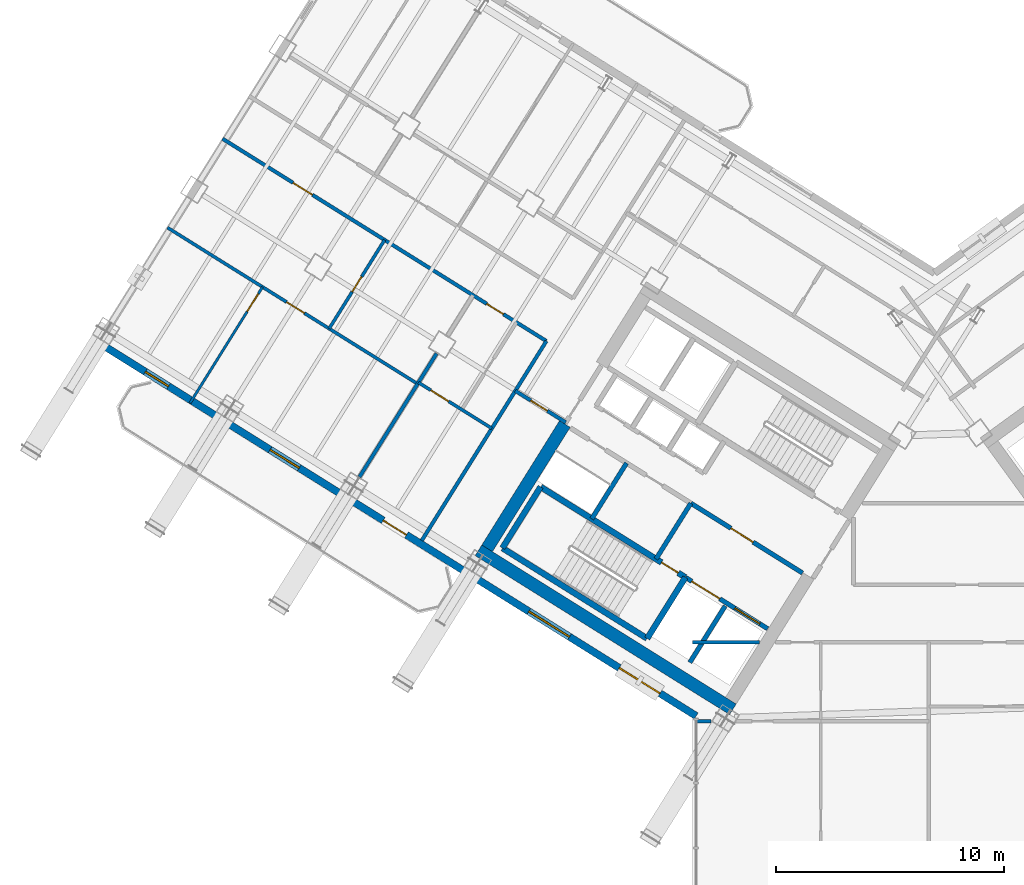
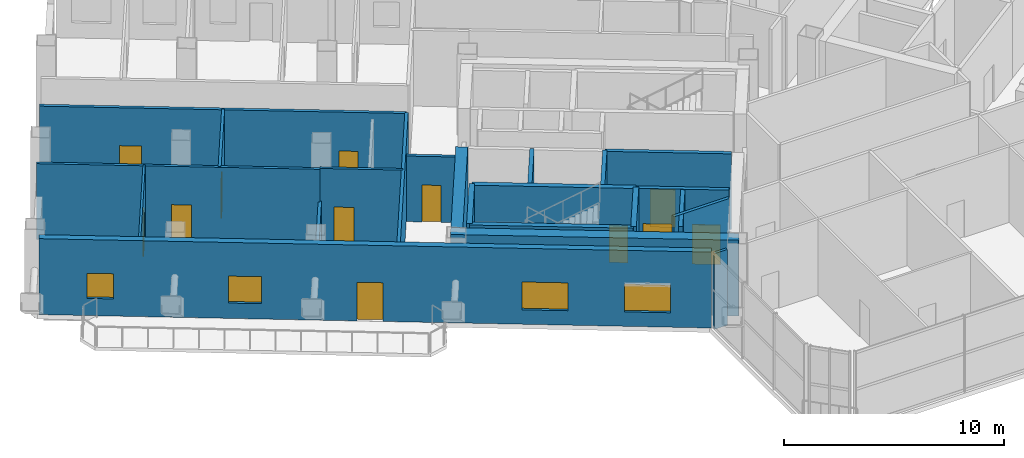
# One storey, part 21 of 32: 22 walls, 12 doors, 4 windows, 16 openings.
"""IFC4 building model written with IfcOpenShell, lengths in metres."""

from ifc_helpers import new_model, si_unit, direction, frame, frame_2d, origin, place, context, subcontext, project, spatial, rectangle, extrude, source, transform, mapped, material, layer, layer_set, type_object, element, fill, save


model = new_model("IFC4")

# Units and contexts
model_context = context("Model", 3, precision=1e-05, world=origin(), true_north=direction((0.0, 1.0)))
body_context = subcontext(model_context, "Body", "Model", "MODEL_VIEW")
ifc_project = project(units=[si_unit("LENGTHUNIT", "METRE"), si_unit("AREAUNIT", "SQUARE_METRE"), si_unit("VOLUMEUNIT", "CUBIC_METRE"), si_unit("PLANEANGLEUNIT", "RADIAN"), si_unit("MASSUNIT", "GRAM", prefix="KILO")], contexts=[model_context])

# Site, building, storey
site_placement = place(None, origin())
site = spatial("IfcSite", under=ifc_project, at=site_placement, CompositionType="ELEMENT")
building_placement = place(site_placement, origin())
building = spatial("IfcBuilding", under=site, at=building_placement, Name="Tlacorven Tower", CompositionType="ELEMENT")
storey_placement = place(building_placement, frame((0.0, 0.0, 123.300048828125)))
storey = spatial("IfcBuildingStorey", under=building, at=storey_placement, Name="L31", CompositionType="ELEMENT", Elevation=123.300048828125)

# Walls
ifc_material_1 = material(Name="Concrete C60/75", Category="concrete")
ifc_layer_1 = layer(ifc_material_1, 0.550048828125)
ifc_layer_set_1 = layer_set([ifc_layer_1], Name="Concrete C60/75")
wall_type_1 = type_object("IfcWallType", Name="WL-COR-550", PredefinedType="SHEAR", material=ifc_layer_set_1)
wall_1_placement = place(storey_placement, frame((33.3662109375, 12.4765625, 0.0), z_axis=(0.0, 0.0, 1.0), x_axis=(-0.848047359947, 0.529920442413, 0.0)))
element("IfcWall", 1, at=wall_1_placement, inside=storey, type_object=wall_type_1, Name="L31 W core shear wall S2", PredefinedType="SHEAR", context=body_context, shape_type="SweptSolid", body=[
    extrude(rectangle(XDim=13.139892578125, YDim=0.550048828125, at=frame_2d((6.56982421875, 0.0))), origin(), (0.0, 0.0, 1.0), 4.219970703125),
])
wall_2_placement = place(storey_placement, frame((26.006591796875, 24.975830078125, 0.0), z_axis=(0.0, 0.0, 1.0), x_axis=(-0.529923795287, -0.848045264823, 0.0)))
element("IfcWall", 2, at=wall_2_placement, inside=storey, type_object=wall_type_1, Name="L31 W core end wall E2.2", PredefinedType="SHEAR", context=body_context, shape_type="SweptSolid", body=[
    extrude(rectangle(XDim=6.425048828125, YDim=0.550048828125, at=frame_2d((3.21240234375, 0.0))), origin(), (0.0, 0.0, 1.0), 4.219970703125),
])

# Wall, opening, door
ifc_material_2 = material(Name="Gypsum plasterboard acoustic partition", Category="gypsum")
ifc_layer_2 = layer(ifc_material_2, 0.159912109375)
ifc_layer_set_2 = layer_set([ifc_layer_2], Name="Gypsum plasterboard acoustic partition")
wall_type_2 = type_object("IfcWallType", Name="WL-DEM-160", PredefinedType="PARTITIONING", material=ifc_layer_set_2)
wall_3_placement = place(storey_placement, frame((26.048828125, 25.043701171875, 0.0), z_axis=(0.0, 0.0, 1.0), x_axis=(-0.848050851465, 0.529914854792, 0.0)))
wall_3 = element("IfcWall", 3, at=wall_3_placement, inside=storey, type_object=wall_type_2, Name="L31 partition 44", PredefinedType="PARTITIONING", context=body_context, shape_type="SweptSolid", body=[
    extrude(rectangle(XDim=2.60986328125, YDim=0.159912109375, at=frame_2d((1.304931640625, 0.0))), origin(), (0.0, 0.0, 1.0), 3.64501953125),
])
opening_1_placement = place(wall_3_placement, frame((0.949951171875, 0.0, 0.0)))
opening_1 = element("IfcOpeningElement", 4, at=opening_1_placement, cuts=wall_3, Name="Opening D19", PredefinedType="OPENING", context=body_context, shape_type="SweptSolid", body=[
    extrude(rectangle(XDim=0.860107421875, YDim=2.050048828125, at=frame_2d((0.43017578125, 1.02490234375))), frame((0.0, 0.08984375, 0.0), z_axis=(0.0, -1.0, 0.0), x_axis=(1.0, 0.0, 0.0)), (0.0, 0.0, 1.0), 0.179931640625),
])
ifc_material_3 = material(Name="Fire-rated steel door assembly", Category="steel")
door_type_1 = type_object("IfcDoorType", Name="DR-RSR-FD60-0860", OperationType="NOTDEFINED", PredefinedType="DOOR", material=ifc_material_3)
shared_shape_1 = source(origin(), body_context, "Body", "SweptSolid", [
    extrude(rectangle(XDim=0.860107421875, YDim=2.050048828125, at=frame_2d((0.43017578125, 1.02490234375))), frame((0.0, 0.02490234375, 0.0), z_axis=(0.0, -1.0, 0.0), x_axis=(1.0, 0.0, 0.0)), (0.0, 0.0, 1.0), 0.050048828125),
])
door_1_placement = place(opening_1_placement, origin())
door_1 = element("IfcDoor", 5, at=door_1_placement, inside=storey, type_object=door_type_1, Name="L31 door 020", OperationType="SINGLE_SWING_LEFT", OverallHeight=2.050048828125, OverallWidth=0.860107421875, PredefinedType="DOOR", context=body_context, shape_type="MappedRepresentation", body=[
    mapped(shared_shape_1, transform((0.0, 0.0, 0.0), scale=1.0)),
])
fill(opening_1, door_1)

# Wall
wall_4_placement = place(storey_placement, frame((25.197509765625, 28.606201171875, 0.0), z_axis=(0.0, 0.0, 1.0), x_axis=(-0.529926497642, -0.848043576178, 0.0)))
element("IfcWall", 6, at=wall_4_placement, inside=storey, type_object=wall_type_2, Name="L31 partition 46", PredefinedType="PARTITIONING", context=body_context, shape_type="SweptSolid", body=[
    extrude(rectangle(XDim=10.300048828125, YDim=0.159912109375, at=frame_2d((5.14990234375, 0.0))), origin(), (0.0, 0.0, 1.0), 4.2099609375),
])

# Wall, openings, doors
wall_5_placement = place(storey_placement, frame((25.197509765625, 28.606201171875, 0.0), z_axis=(0.0, 0.0, 1.0), x_axis=(-0.848052408131, 0.529912363569, 0.0)))
wall_5 = element("IfcWall", 7, at=wall_5_placement, inside=storey, type_object=wall_type_2, Name="L31 Wing W Corridor North Wall", PredefinedType="PARTITIONING", context=body_context, shape_type="SweptSolid", body=[
    extrude(rectangle(XDim=16.72998046875, YDim=0.159912109375, at=frame_2d((8.364990234375, 0.0))), origin(), (0.0, 0.0, 1.0), 4.2099609375),
])
opening_2_placement = place(wall_5_placement, frame((2.219970703125, 0.0, 0.0)))
opening_2 = element("IfcOpeningElement", 8, at=opening_2_placement, cuts=wall_5, Name="Opening D19", PredefinedType="OPENING", context=body_context, shape_type="SweptSolid", body=[
    extrude(rectangle(XDim=0.860107421875, YDim=2.050048828125, at=frame_2d((0.43017578125, 1.02490234375))), frame((0.0, 0.08984375, 0.0), z_axis=(0.0, -1.0, 0.0), x_axis=(1.0, 0.0, 0.0)), (0.0, 0.0, 1.0), 0.179931640625),
])
opening_3_placement = place(wall_5_placement, frame((12.083984375, 0.0, 0.0)))
opening_3 = element("IfcOpeningElement", 9, at=opening_3_placement, cuts=wall_5, Name="Opening D11", PredefinedType="OPENING", context=body_context, shape_type="SweptSolid", body=[
    extrude(rectangle(XDim=1.0, YDim=2.10009765625, at=frame_2d((0.5, 1.050048828125))), frame((0.0, 0.08984375, 0.0), z_axis=(0.0, -1.0, 0.0), x_axis=(1.0, 0.0, 0.0)), (0.0, 0.0, 1.0), 0.179931640625),
])
door_2_placement = place(opening_2_placement, origin())
door_2 = element("IfcDoor", 10, at=door_2_placement, inside=storey, type_object=door_type_1, Name="L31 door 022", OperationType="SINGLE_SWING_RIGHT", OverallHeight=2.050048828125, OverallWidth=0.860107421875, PredefinedType="DOOR", context=body_context, shape_type="MappedRepresentation", body=[
    mapped(shared_shape_1, transform((0.0, 0.0, 0.0), scale=1.0)),
])
fill(opening_2, door_2)
door_type_2 = type_object("IfcDoorType", Name="DR-FLT-FD60-1000", OperationType="NOTDEFINED", PredefinedType="DOOR", material=ifc_material_3)
shared_shape_2 = source(origin(), body_context, "Body", "SweptSolid", [
    extrude(rectangle(XDim=1.0, YDim=2.10009765625, at=frame_2d((0.5, 1.050048828125))), frame((0.0, 0.02490234375, 0.0), z_axis=(0.0, -1.0, 0.0), x_axis=(1.0, 0.0, 0.0)), (0.0, 0.0, 1.0), 0.050048828125),
])
door_3_placement = place(opening_3_placement, origin())
door_3 = element("IfcDoor", 11, at=door_3_placement, inside=storey, type_object=door_type_2, Name="L31 door 026", OperationType="SINGLE_SWING_RIGHT", OverallHeight=2.10009765625, OverallWidth=1.0, PredefinedType="DOOR", context=body_context, shape_type="MappedRepresentation", body=[
    mapped(shared_shape_2, transform((0.0, 0.0, 0.0), scale=1.0)),
])
fill(opening_3, door_3)

# Walls
wall_6_placement = place(storey_placement, frame((20.38720703125, 28.060302734375, 0.0), z_axis=(0.0, 0.0, 1.0), x_axis=(-0.529902564924, -0.848058530814, 0.0)))
element("IfcWall", 12, at=wall_6_placement, inside=storey, type_object=wall_type_2, Name="L31 WN Demising Wall 1", PredefinedType="PARTITIONING", context=body_context, shape_type="SweptSolid", body=[
    extrude(rectangle(XDim=6.3759765625, YDim=0.159912109375, at=frame_2d((3.18798828125, 0.0))), origin(), (0.0, 0.0, 1.0), 2.39501953125),
])
wall_7_placement = place(storey_placement, frame((31.60009765625, 15.419921875, 0.0), z_axis=(0.0, 0.0, 1.0), x_axis=(1.0, 0.0, 0.0)))
element("IfcWall", 13, at=wall_7_placement, inside=storey, type_object=wall_type_2, Name="L31 Knuckle Corridor South Wall", PredefinedType="PARTITIONING", context=body_context, shape_type="SweptSolid", body=[
    extrude(rectangle(XDim=2.925048828125, YDim=0.159912109375, at=frame_2d((1.46240234375, 0.0))), origin(), (0.0, 0.0, 1.0), 4.2099609375),
])

# Wall, openings, door, windows
ifc_material_4 = material(Name="Precast concrete C45/55", Category="concrete")
ifc_layer_3 = layer(ifc_material_4, 0.320068359375)
ifc_layer_set_3 = layer_set([ifc_layer_3], Name="Precast concrete C45/55")
wall_type_3 = type_object("IfcWallType", Name="WL-EXT-320", PredefinedType="STANDARD", material=ifc_layer_set_3)
wall_8_placement = place(storey_placement, frame((31.760009765625, 12.18310546875, 0.0), z_axis=(0.0, 0.0, 1.0), x_axis=(-0.848047074256, 0.529920899612, 0.0)))
wall_8 = element("IfcWall", 14, at=wall_8_placement, inside=storey, type_object=wall_type_3, Name="L31 Masonry-Frame Recessed Facade Wall 1", PredefinedType="STANDARD", context=body_context, shape_type="SweptSolid", body=[
    extrude(rectangle(XDim=30.652099609375, YDim=0.320068359375, at=frame_2d((15.326171875, 0.0))), origin(), (0.0, 0.0, 1.0), 4.219970703125),
])
opening_4_placement = place(wall_8_placement, frame((14.9658203125, 0.0, 0.0)))
opening_4 = element("IfcOpeningElement", 15, at=opening_4_placement, cuts=wall_8, Name="Opening D05", PredefinedType="OPENING", context=body_context, shape_type="SweptSolid", body=[
    extrude(rectangle(XDim=1.199951171875, YDim=2.14990234375, at=frame_2d((0.60009765625, 1.074951171875))), frame((0.0, 0.169921875, 0.0), z_axis=(0.0, -1.0, 0.0), x_axis=(1.0, 0.0, 0.0)), (0.0, 0.0, 1.0), 0.340087890625),
])
opening_5_placement = place(wall_8_placement, frame((1.870849609375, 0.0, 0.800048828125)))
opening_5 = element("IfcOpeningElement", 16, at=opening_5_placement, cuts=wall_8, Name="Opening WN04", PredefinedType="OPENING", context=body_context, shape_type="SweptSolid", body=[
    extrude(rectangle(XDim=2.10009765625, YDim=1.550048828125, at=frame_2d((1.050048828125, 0.77490234375))), frame((0.0, 0.169921875, 0.0), z_axis=(0.0, -1.0, 0.0), x_axis=(1.0, 0.0, 0.0)), (0.0, 0.0, 1.0), 0.340087890625),
])
opening_6_placement = place(wall_8_placement, frame((6.5458984375, 0.0, 0.800048828125)))
opening_6 = element("IfcOpeningElement", 17, at=opening_6_placement, cuts=wall_8, Name="Opening WN04", PredefinedType="OPENING", context=body_context, shape_type="SweptSolid", body=[
    extrude(rectangle(XDim=2.10009765625, YDim=1.550048828125, at=frame_2d((1.050048828125, 0.77490234375))), frame((0.0, 0.169921875, 0.0), z_axis=(0.0, -1.0, 0.0), x_axis=(1.0, 0.0, 0.0)), (0.0, 0.0, 1.0), 0.340087890625),
])
opening_7_placement = place(wall_8_placement, frame((20.50830078125, 0.0, 0.85009765625)))
opening_7 = element("IfcOpeningElement", 18, at=opening_7_placement, cuts=wall_8, Name="Opening WN02", PredefinedType="OPENING", context=body_context, shape_type="SweptSolid", body=[
    extrude(rectangle(XDim=1.5, YDim=1.5, at=frame_2d((0.75, 0.75))), frame((0.0, 0.169921875, 0.0), z_axis=(0.0, -1.0, 0.0), x_axis=(1.0, 0.0, 0.0)), (0.0, 0.0, 1.0), 0.340087890625),
])
opening_8_placement = place(wall_8_placement, frame((27.25341796875, 0.0, 0.949951171875)))
opening_8 = element("IfcOpeningElement", 19, at=opening_8_placement, cuts=wall_8, Name="Opening WN03", PredefinedType="OPENING", context=body_context, shape_type="SweptSolid", body=[
    extrude(rectangle(XDim=1.199951171875, YDim=1.39990234375, at=frame_2d((0.60009765625, 0.699951171875))), frame((0.0, 0.169921875, 0.0), z_axis=(0.0, -1.0, 0.0), x_axis=(1.0, 0.0, 0.0)), (0.0, 0.0, 1.0), 0.340087890625),
])
ifc_material_5 = material(Name="Powder-coated aluminium and timber door", Category="wood")
door_type_3 = type_object("IfcDoorType", Name="DR-EXT-BALC-1200", OperationType="NOTDEFINED", PredefinedType="DOOR", material=ifc_material_5)
shared_shape_3 = source(origin(), body_context, "Body", "SweptSolid", [
    extrude(rectangle(XDim=1.199951171875, YDim=2.14990234375, at=frame_2d((0.60009765625, 1.074951171875))), frame((0.0, 0.02490234375, 0.0), z_axis=(0.0, -1.0, 0.0), x_axis=(1.0, 0.0, 0.0)), (0.0, 0.0, 1.0), 0.050048828125),
])
door_4_placement = place(opening_4_placement, origin())
door_4 = element("IfcDoor", 20, at=door_4_placement, inside=storey, type_object=door_type_3, Name="L31 Outdoor Access Door BAL-L31-W-OUT", OperationType="SINGLE_SWING_LEFT", OverallHeight=2.14990234375, OverallWidth=1.199951171875, PredefinedType="DOOR", context=body_context, shape_type="MappedRepresentation", body=[
    mapped(shared_shape_3, transform((0.0, 0.0, 0.0), scale=1.0)),
])
fill(opening_4, door_4)
ifc_material_6 = material(Name="Dark solar low-E double glazing in anodised aluminium frame", Category="aluminium")
window_type_1 = type_object("IfcWindowType", Name="WN-APT-2100X1750", PartitioningType="SINGLE_PANEL", PredefinedType="WINDOW", material=ifc_material_6)
shared_shape_4 = source(origin(), body_context, "Body", "SweptSolid", [
    extrude(rectangle(XDim=2.10009765625, YDim=1.550048828125, at=frame_2d((1.050048828125, 0.77490234375))), frame((0.0, 0.030029296875, 0.0), z_axis=(0.0, -1.0, 0.0), x_axis=(1.0, 0.0, 0.0)), (0.0, 0.0, 1.0), 0.06005859375),
])
window_1_placement = place(opening_5_placement, origin())
window_1 = element("IfcWindow", 21, at=window_1_placement, inside=storey, type_object=window_type_1, Name="L31 Recessed Masonry-Frame Window L31-01.1", OverallHeight=1.550048828125, OverallWidth=2.10009765625, PartitioningType="SINGLE_PANEL", PredefinedType="WINDOW", context=body_context, shape_type="MappedRepresentation", body=[
    mapped(shared_shape_4, transform((0.0, 0.0, 0.0), scale=1.0)),
])
fill(opening_5, window_1)
window_2_placement = place(opening_6_placement, origin())
window_2 = element("IfcWindow", 22, at=window_2_placement, inside=storey, type_object=window_type_1, Name="L31 Recessed Masonry-Frame Window L31-01.2", OverallHeight=1.550048828125, OverallWidth=2.10009765625, PartitioningType="SINGLE_PANEL", PredefinedType="WINDOW", context=body_context, shape_type="MappedRepresentation", body=[
    mapped(shared_shape_4, transform((0.0, 0.0, 0.0), scale=1.0)),
])
fill(opening_6, window_2)
window_type_2 = type_object("IfcWindowType", Name="WN-APT-1200X1500", PartitioningType="SINGLE_PANEL", PredefinedType="WINDOW", material=ifc_material_6)
shared_shape_5 = source(origin(), body_context, "Body", "SweptSolid", [
    extrude(rectangle(XDim=1.199951171875, YDim=1.39990234375, at=frame_2d((0.60009765625, 0.699951171875))), frame((0.0, 0.030029296875, 0.0), z_axis=(0.0, -1.0, 0.0), x_axis=(1.0, 0.0, 0.0)), (0.0, 0.0, 1.0), 0.06005859375),
])
window_3_placement = place(opening_8_placement, origin())
window_3 = element("IfcWindow", 23, at=window_3_placement, inside=storey, type_object=window_type_2, Name="L31 Recessed Masonry-Frame Window L31-01.4", OverallHeight=1.39990234375, OverallWidth=1.199951171875, PartitioningType="SINGLE_PANEL", PredefinedType="WINDOW", context=body_context, shape_type="MappedRepresentation", body=[
    mapped(shared_shape_5, transform((0.0, 0.0, 0.0), scale=1.0)),
])
fill(opening_8, window_3)
window_type_3 = type_object("IfcWindowType", Name="WN-APT-1500X1650", PartitioningType="SINGLE_PANEL", PredefinedType="WINDOW", material=ifc_material_6)
shared_shape_6 = source(origin(), body_context, "Body", "SweptSolid", [
    extrude(rectangle(XDim=1.5, YDim=1.5, at=frame_2d((0.75, 0.75))), frame((0.0, 0.030029296875, 0.0), z_axis=(0.0, -1.0, 0.0), x_axis=(1.0, 0.0, 0.0)), (0.0, 0.0, 1.0), 0.06005859375),
])
window_4_placement = place(opening_7_placement, origin())
window_4 = element("IfcWindow", 24, at=window_4_placement, inside=storey, type_object=window_type_3, Name="L31 Recessed Masonry-Frame Window L31-01.3", OverallHeight=1.5, OverallWidth=1.5, PartitioningType="SINGLE_PANEL", PredefinedType="WINDOW", context=body_context, shape_type="MappedRepresentation", body=[
    mapped(shared_shape_6, transform((0.0, 0.0, 0.0), scale=1.0)),
])
fill(opening_7, window_4)

# Wall, opening, door
ifc_material_7 = material(Name="Gypsum plasterboard partition", Category="gypsum")
ifc_layer_4 = layer(ifc_material_7, 0.110107421875)
ifc_layer_set_4 = layer_set([ifc_layer_4], Name="Gypsum plasterboard partition")
wall_type_4 = type_object("IfcWallType", Name="WL-INT-110", PredefinedType="PARTITIONING", material=ifc_layer_set_4)
wall_9_placement = place(storey_placement, frame((12.763427734375, 30.97509765625, 0.0), z_axis=(0.0, 0.0, 1.0), x_axis=(-0.529947646893, -0.848030360042, 0.0)))
wall_9 = element("IfcWall", 25, at=wall_9_placement, inside=storey, type_object=wall_type_4, Name="L31 partition 55", PredefinedType="PARTITIONING", context=body_context, shape_type="SweptSolid", body=[
    extrude(rectangle(XDim=5.98974609375, YDim=0.110107421875, at=frame_2d((2.994873046875, 0.0))), origin(), (0.0, 0.0, 1.0), 4.2099609375),
])
opening_9_placement = place(wall_9_placement, frame((0.35009765625, 0.0, 0.0)))
opening_9 = element("IfcOpeningElement", 26, at=opening_9_placement, cuts=wall_9, Name="Opening D12", PredefinedType="OPENING", context=body_context, shape_type="SweptSolid", body=[
    extrude(rectangle(XDim=0.919921875, YDim=2.080078125, at=frame_2d((0.4599609375, 1.0400390625))), frame((0.0, 0.06494140625, 0.0), z_axis=(0.0, -1.0, 0.0), x_axis=(1.0, 0.0, 0.0)), (0.0, 0.0, 1.0), 0.130126953125),
])
door_type_4 = type_object("IfcDoorType", Name="DR-INT-ROOM-0920", OperationType="NOTDEFINED", PredefinedType="DOOR", material=ifc_material_5)
shared_shape_7 = source(origin(), body_context, "Body", "SweptSolid", [
    extrude(rectangle(XDim=0.919921875, YDim=2.080078125, at=frame_2d((0.4599609375, 1.0400390625))), frame((0.0, 0.02490234375, 0.0), z_axis=(0.0, -1.0, 0.0), x_axis=(1.0, 0.0, 0.0)), (0.0, 0.0, 1.0), 0.050048828125),
])
door_5_placement = place(opening_9_placement, origin())
door_5 = element("IfcDoor", 27, at=door_5_placement, inside=storey, type_object=door_type_4, Name="L31 door 025", OperationType="SINGLE_SWING_LEFT", OverallHeight=2.080078125, OverallWidth=0.919921875, PredefinedType="DOOR", context=body_context, shape_type="MappedRepresentation", body=[
    mapped(shared_shape_7, transform((0.0, 0.0, 0.0), scale=1.0)),
])
fill(opening_9, door_5)

ifc_material_8 = material(Name="Moisture-resistant gypsum plumbing wall", Category="gypsum")
ifc_layer_5 = layer(ifc_material_8, 0.139892578125)
ifc_layer_set_5 = layer_set([ifc_layer_5], Name="Moisture-resistant gypsum plumbing wall")
wall_type_5 = type_object("IfcWallType", Name="WL-PLM-140", PredefinedType="PLUMBINGWALL", material=ifc_layer_set_5)
wall_10_placement = place(storey_placement, frame((22.807373046875, 24.781494140625, 0.0), z_axis=(0.0, 0.0, 1.0), x_axis=(-0.84803087207, 0.529946827537, 0.0)))
wall_10 = element("IfcWall", 28, at=wall_10_placement, inside=storey, type_object=wall_type_5, Name="L31 partition 51", PredefinedType="PLUMBINGWALL", context=body_context, shape_type="SweptSolid", body=[
    extrude(rectangle(XDim=3.7900390625, YDim=0.139892578125, at=frame_2d((1.89501953125, 0.0))), origin(), (0.0, 0.0, 1.0), 4.2099609375),
])
opening_10_placement = place(wall_10_placement, frame((2.22998046875, 0.0, 0.0)))
opening_10 = element("IfcOpeningElement", 29, at=opening_10_placement, cuts=wall_10, Name="Opening D12", PredefinedType="OPENING", context=body_context, shape_type="SweptSolid", body=[
    extrude(rectangle(XDim=0.919921875, YDim=2.080078125, at=frame_2d((0.4599609375, 1.0400390625))), frame((0.0, 0.080078125, 0.0), z_axis=(0.0, -1.0, 0.0), x_axis=(1.0, 0.0, 0.0)), (0.0, 0.0, 1.0), 0.159912109375),
])
door_6_placement = place(opening_10_placement, origin())
door_6 = element("IfcDoor", 30, at=door_6_placement, inside=storey, type_object=door_type_4, Name="L31 door 023", OperationType="SINGLE_SWING_LEFT", OverallHeight=2.080078125, OverallWidth=0.919921875, PredefinedType="DOOR", context=body_context, shape_type="MappedRepresentation", body=[
    mapped(shared_shape_7, transform((0.0, 0.0, 0.0), scale=1.0)),
])
fill(opening_10, door_6)

wall_11_placement = place(storey_placement, frame((19.556396484375, 26.73046875, 0.0), z_axis=(0.0, 0.0, 1.0), x_axis=(-0.848043949058, 0.52992590092, 0.0)))
wall_11 = element("IfcWall", 31, at=wall_11_placement, inside=storey, type_object=wall_type_5, Name="L31 partition 53", PredefinedType="PLUMBINGWALL", context=body_context, shape_type="SweptSolid", body=[
    extrude(rectangle(XDim=12.920166015625, YDim=0.139892578125, at=frame_2d((6.4599609375, 0.0))), origin(), (0.0, 0.0, 1.0), 4.2099609375),
])
opening_11_placement = place(wall_11_placement, frame((5.84912109375, 0.0, 0.0)))
opening_11 = element("IfcOpeningElement", 32, at=opening_11_placement, cuts=wall_11, Name="Opening D12", PredefinedType="OPENING", context=body_context, shape_type="SweptSolid", body=[
    extrude(rectangle(XDim=0.919921875, YDim=2.080078125, at=frame_2d((0.4599609375, 1.0400390625))), frame((0.0, 0.080078125, 0.0), z_axis=(0.0, -1.0, 0.0), x_axis=(1.0, 0.0, 0.0)), (0.0, 0.0, 1.0), 0.159912109375),
])
door_7_placement = place(opening_11_placement, origin())
door_7 = element("IfcDoor", 33, at=door_7_placement, inside=storey, type_object=door_type_4, Name="L31 door 027", OperationType="SINGLE_SWING_LEFT", OverallHeight=2.080078125, OverallWidth=0.919921875, PredefinedType="DOOR", context=body_context, shape_type="MappedRepresentation", body=[
    mapped(shared_shape_7, transform((0.0, 0.0, 0.0), scale=1.0)),
])
fill(opening_11, door_7)

wall_12_placement = place(storey_placement, frame((18.109375, 33.035400390625, 0.0), z_axis=(0.0, 0.0, 1.0), x_axis=(-0.529893526057, -0.848064178611, 0.0)))
wall_12 = element("IfcWall", 34, at=wall_12_placement, inside=storey, type_object=wall_type_5, Name="L31 partition 54", PredefinedType="PLUMBINGWALL", context=body_context, shape_type="SweptSolid", body=[
    extrude(rectangle(XDim=4.580078125, YDim=0.139892578125, at=frame_2d((2.2900390625, 0.0))), origin(), (0.0, 0.0, 1.0), 4.2099609375),
])
opening_12_placement = place(wall_12_placement, frame((1.89990234375, 0.0, 0.0)))
opening_12 = element("IfcOpeningElement", 35, at=opening_12_placement, cuts=wall_12, Name="Opening D22", PredefinedType="OPENING", context=body_context, shape_type="SweptSolid", body=[
    extrude(rectangle(XDim=0.780029296875, YDim=2.050048828125, at=frame_2d((0.39013671875, 1.02490234375))), frame((0.0, 0.080078125, 0.0), z_axis=(0.0, -1.0, 0.0), x_axis=(1.0, 0.0, 0.0)), (0.0, 0.0, 1.0), 0.159912109375),
])
door_type_5 = type_object("IfcDoorType", Name="DR-INT-WET-0780", OperationType="NOTDEFINED", PredefinedType="DOOR", material=ifc_material_5)
shared_shape_8 = source(origin(), body_context, "Body", "SweptSolid", [
    extrude(rectangle(XDim=0.780029296875, YDim=2.050048828125, at=frame_2d((0.39013671875, 1.02490234375))), frame((0.0, 0.02490234375, 0.0), z_axis=(0.0, -1.0, 0.0), x_axis=(1.0, 0.0, 0.0)), (0.0, 0.0, 1.0), 0.050048828125),
])
door_8_placement = place(opening_12_placement, origin())
door_8 = element("IfcDoor", 36, at=door_8_placement, inside=storey, type_object=door_type_5, Name="L31 door 028", OperationType="SINGLE_SWING_RIGHT", OverallHeight=2.050048828125, OverallWidth=0.780029296875, PredefinedType="DOOR", context=body_context, shape_type="MappedRepresentation", body=[
    mapped(shared_shape_8, transform((0.0, 0.0, 0.0), scale=1.0)),
])
fill(opening_12, door_8)

# Wall
wall_13_placement = place(storey_placement, frame((31.739990234375, 11.949951171875, 0.0), z_axis=(0.0, 0.0, 1.0), x_axis=(1.0, 0.0, 0.0)))
element("IfcWall", 37, at=wall_13_placement, inside=storey, type_object=wall_type_5, Name="L31 partition 79", PredefinedType="PLUMBINGWALL", context=body_context, shape_type="SweptSolid", body=[
    extrude(rectangle(XDim=0.67578125, YDim=0.139892578125, at=frame_2d((0.337890625, 0.0))), origin(), (0.0, 0.0, 1.0), 4.2099609375),
])

# Wall, openings, doors
ifc_material_9 = material(Name="Concrete C40/50", Category="concrete")
ifc_layer_6 = layer(ifc_material_9, 0.199951171875)
ifc_layer_set_6 = layer_set([ifc_layer_6], Name="Concrete C40/50")
wall_type_6 = type_object("IfcWallType", Name="WL-SHF-200", PredefinedType="STANDARD", material=ifc_layer_set_6)
wall_14_placement = place(storey_placement, frame((34.890625, 16.0048828125, 0.0), z_axis=(0.0, 0.0, 1.0), x_axis=(-0.848062873452, 0.529895614884, 0.0)))
wall_14 = element("IfcWall", 38, at=wall_14_placement, inside=storey, type_object=wall_type_6, Name="L31 Core W Firefighting Lift Shaft Front Wall", PredefinedType="STANDARD", context=body_context, shape_type="SweptSolid", body=[
    extrude(rectangle(XDim=4.248046875, YDim=0.199951171875, at=frame_2d((2.1240234375, 0.0))), origin(), (0.0, 0.0, 1.0), 4.2099609375),
])
opening_13_placement = place(wall_14_placement, frame((0.39794921875, 0.0, 0.0)))
opening_13 = element("IfcOpeningElement", 39, at=opening_13_placement, cuts=wall_14, Name="Opening LD03", PredefinedType="OPENING", context=body_context, shape_type="SweptSolid", body=[
    extrude(rectangle(XDim=1.300048828125, YDim=2.199951171875, at=frame_2d((0.64990234375, 1.10009765625))), frame((0.0, 0.10986328125, 0.0), z_axis=(0.0, -1.0, 0.0), x_axis=(1.0, 0.0, 0.0)), (0.0, 0.0, 1.0), 0.219970703125),
])
opening_14_placement = place(wall_14_placement, frame((2.472900390625, 0.0, 0.0)))
opening_14 = element("IfcOpeningElement", 40, at=opening_14_placement, cuts=wall_14, Name="Opening LD04", PredefinedType="OPENING", context=body_context, shape_type="SweptSolid", body=[
    extrude(rectangle(XDim=1.449951171875, YDim=2.25, at=frame_2d((0.72509765625, 1.125))), frame((0.0, 0.10986328125, 0.0), z_axis=(0.0, -1.0, 0.0), x_axis=(1.0, 0.0, 0.0)), (0.0, 0.0, 1.0), 0.219970703125),
])
door_type_6 = type_object("IfcDoorType", Name="DR-LFT-SLID-1300", OperationType="DOUBLE_DOOR_SLIDING", PredefinedType="DOOR", material=ifc_material_3)
shared_shape_9 = source(origin(), body_context, "Body", "SweptSolid", [
    extrude(rectangle(XDim=1.300048828125, YDim=2.199951171875, at=frame_2d((0.64990234375, 1.10009765625))), frame((0.0, 0.02490234375, 0.0), z_axis=(0.0, -1.0, 0.0), x_axis=(1.0, 0.0, 0.0)), (0.0, 0.0, 1.0), 0.050048828125),
])
door_9_placement = place(opening_13_placement, origin())
door_9 = element("IfcDoor", 41, at=door_9_placement, inside=storey, type_object=door_type_6, Name="L31 Lift FFL-W1 Sliding Landing Door", OperationType="DOUBLE_DOOR_SLIDING", OverallHeight=2.199951171875, OverallWidth=1.300048828125, PredefinedType="DOOR", context=body_context, shape_type="MappedRepresentation", body=[
    mapped(shared_shape_9, transform((0.0, 0.0, 0.0), scale=1.0)),
])
fill(opening_13, door_9)
door_type_7 = type_object("IfcDoorType", Name="DR-LFT-SLID-1450", OperationType="DOUBLE_DOOR_SLIDING", PredefinedType="DOOR", material=ifc_material_3)
shared_shape_10 = source(origin(), body_context, "Body", "SweptSolid", [
    extrude(rectangle(XDim=1.449951171875, YDim=2.25, at=frame_2d((0.72509765625, 1.125))), frame((0.0, 0.02490234375, 0.0), z_axis=(0.0, -1.0, 0.0), x_axis=(1.0, 0.0, 0.0)), (0.0, 0.0, 1.0), 0.050048828125),
])
door_10_placement = place(opening_14_placement, origin())
door_10 = element("IfcDoor", 42, at=door_10_placement, inside=storey, type_object=door_type_7, Name="L31 Lift SVL-W1 Sliding Landing Door", OperationType="DOUBLE_DOOR_SLIDING", OverallHeight=2.25, OverallWidth=1.449951171875, PredefinedType="DOOR", context=body_context, shape_type="MappedRepresentation", body=[
    mapped(shared_shape_10, transform((0.0, 0.0, 0.0), scale=1.0)),
])
fill(opening_14, door_10)

# Wall, opening, door
wall_15_placement = place(storey_placement, frame((36.416748046875, 18.447265625, 0.0), z_axis=(0.0, 0.0, 1.0), x_axis=(-0.848064879198, 0.529892404805, 0.0)))
wall_15 = element("IfcWall", 43, at=wall_15_placement, inside=storey, type_object=wall_type_6, Name="L31 Core W Smoke Lobby Wall", PredefinedType="STANDARD", context=body_context, shape_type="SweptSolid", body=[
    extrude(rectangle(XDim=5.76806640625, YDim=0.199951171875, at=frame_2d((2.884033203125, 0.0))), origin(), (0.0, 0.0, 1.0), 4.2099609375),
])
opening_15_placement = place(wall_15_placement, frame((2.548095703125, 0.0, 0.0)))
opening_15 = element("IfcOpeningElement", 44, at=opening_15_placement, cuts=wall_15, Name="Opening D09", PredefinedType="OPENING", context=body_context, shape_type="SweptSolid", body=[
    extrude(rectangle(XDim=1.14990234375, YDim=2.10009765625, at=frame_2d((0.574951171875, 1.050048828125))), frame((0.0, 0.10986328125, 0.0), z_axis=(0.0, -1.0, 0.0), x_axis=(1.0, 0.0, 0.0)), (0.0, 0.0, 1.0), 0.219970703125),
])
door_type_8 = type_object("IfcDoorType", Name="DR-FFL-FD60-1150", OperationType="NOTDEFINED", PredefinedType="DOOR", material=ifc_material_3)
shared_shape_11 = source(origin(), body_context, "Body", "SweptSolid", [
    extrude(rectangle(XDim=1.14990234375, YDim=2.10009765625, at=frame_2d((0.574951171875, 1.050048828125))), frame((0.0, 0.02490234375, 0.0), z_axis=(0.0, -1.0, 0.0), x_axis=(1.0, 0.0, 0.0)), (0.0, 0.0, 1.0), 0.050048828125),
])
door_11_placement = place(opening_15_placement, origin())
door_11 = element("IfcDoor", 45, at=door_11_placement, inside=storey, type_object=door_type_8, Name="L31 Firefighting Lobby W Fire Door", OperationType="SINGLE_SWING_LEFT", OverallHeight=2.10009765625, OverallWidth=1.14990234375, PredefinedType="DOOR", context=body_context, shape_type="MappedRepresentation", body=[
    mapped(shared_shape_11, transform((0.0, 0.0, 0.0), scale=1.0)),
])
fill(opening_15, door_11)

# Walls
wall_16_placement = place(storey_placement, frame((33.02880859375, 17.003173828125, 0.0), z_axis=(0.0, 0.0, 1.0), x_axis=(-0.529916267533, -0.848049968695, 0.0)))
element("IfcWall", 46, at=wall_16_placement, inside=storey, type_object=wall_type_6, Name="L31 partition 14", PredefinedType="STANDARD", context=body_context, shape_type="SweptSolid", body=[
    extrude(rectangle(XDim=2.919921875, YDim=0.199951171875, at=frame_2d((1.4599609375, 0.0))), origin(), (0.0, 0.0, 1.0), 4.2099609375),
])
for number, where, z_axis, x_axis, name in (
    (47, (31.525146484375, 21.503662109375, 0.0), (0.0, 0.0, 1.0), (-0.529907497854, -0.848055448493, 0.0), "L31 partition 20"),
    (48, (28.709716796875, 23.26318359375, 0.0), (0.0, 0.0, 1.0), (-0.529907497854, -0.848055448493, 0.0), "L31 partition 21"),
):
    element("IfcWall", number, at=place(storey_placement, frame(where, z_axis=z_axis, x_axis=x_axis)), inside=storey, type_object=wall_type_6, Name=name, PredefinedType="STANDARD", context=body_context, shape_type="SweptSolid", body=[
        extrude(rectangle(XDim=2.8798828125, YDim=0.199951171875, at=frame_2d((1.43994140625, 0.0))), origin(), (0.0, 0.0, 1.0), 4.2099609375),
    ])
ifc_material_10 = material(Name="Concrete C50/60", Category="concrete")
ifc_layer_7 = layer(ifc_material_10, 0.260009765625)
ifc_layer_set_7 = layer_set([ifc_layer_7], Name="Concrete C50/60")
wall_type_7 = type_object("IfcWallType", Name="WL-STW-260", PredefinedType="SHEAR", material=ifc_layer_set_7)
wall_17_placement = place(storey_placement, frame((29.60498046875, 15.581298828125, 0.0), z_axis=(0.0, 0.0, 1.0), x_axis=(-0.848036911448, 0.529937163087, 0.0)))
element("IfcWall", 49, at=wall_17_placement, inside=storey, type_object=wall_type_7, Name="L31 Stair W1 Far Shear Wall", PredefinedType="SHEAR", context=body_context, shape_type="SweptSolid", body=[
    extrude(rectangle(XDim=7.4599609375, YDim=0.260009765625, at=frame_2d((3.72998046875, 0.0))), origin(), (0.0, 0.0, 1.0), 4.219970703125),
])

# Wall, opening, door
wall_18_placement = place(storey_placement, frame((31.279541015625, 18.26123046875, 0.0), z_axis=(0.0, 0.0, 1.0), x_axis=(-0.848051618787, 0.529913626805, 0.0)))
wall_18 = element("IfcWall", 50, at=wall_18_placement, inside=storey, type_object=wall_type_7, Name="L31 Stair W1 Lobby Shear Wall", PredefinedType="SHEAR", context=body_context, shape_type="SweptSolid", body=[
    extrude(rectangle(XDim=7.4599609375, YDim=0.260009765625, at=frame_2d((3.72998046875, 0.0))), origin(), (0.0, 0.0, 1.0), 4.219970703125),
])
opening_16_placement = place(wall_18_placement, frame((0.360107421875, 0.0, 0.0)))
opening_16 = element("IfcOpeningElement", 51, at=opening_16_placement, cuts=wall_18, Name="Opening D19", PredefinedType="OPENING", context=body_context, shape_type="SweptSolid", body=[
    extrude(rectangle(XDim=0.860107421875, YDim=2.050048828125, at=frame_2d((0.43017578125, 1.02490234375))), frame((0.0, 0.14013671875, 0.0), z_axis=(0.0, -1.0, 0.0), x_axis=(1.0, 0.0, 0.0)), (0.0, 0.0, 1.0), 0.280029296875),
])
door_12_placement = place(opening_16_placement, frame((0.860107421875, 0.0, 0.0), z_axis=(0.0, 0.0, 1.0), x_axis=(-1.0, 0.0, 0.0)))
door_12 = element("IfcDoor", 52, at=door_12_placement, inside=storey, type_object=door_type_1, Name="L31 Exit Stair W1 Fire Door", OperationType="SINGLE_SWING_LEFT", OverallHeight=2.050048828125, OverallWidth=0.860107421875, PredefinedType="DOOR", context=body_context, shape_type="MappedRepresentation", body=[
    mapped(shared_shape_1, transform((0.0, 0.0, 0.0), scale=1.0)),
])
fill(opening_16, door_12)

# Walls
wall_19_placement = place(storey_placement, frame((31.2880859375, 18.255859375, 0.0), z_axis=(0.0, 0.0, 1.0), x_axis=(-0.529943379326, -0.848033026897, 0.0)))
element("IfcWall", 53, at=wall_19_placement, inside=storey, type_object=wall_type_7, Name="L31 Stair W1 West Shear Wall", PredefinedType="SHEAR", context=body_context, shape_type="SweptSolid", body=[
    extrude(rectangle(XDim=3.159912109375, YDim=0.260009765625, at=frame_2d((1.580078125, 0.0))), origin(), (0.0, 0.0, 1.0), 4.219970703125),
])
wall_20_placement = place(storey_placement, frame((24.944580078125, 22.2197265625, 0.0), z_axis=(0.0, 0.0, 1.0), x_axis=(-0.529908658664, -0.84805472316, 0.0)))
element("IfcWall", 54, at=wall_20_placement, inside=storey, type_object=wall_type_7, Name="L31 Stair W1 East Shear Wall", PredefinedType="SHEAR", context=body_context, shape_type="SweptSolid", body=[
    extrude(rectangle(XDim=3.16015625, YDim=0.260009765625, at=frame_2d((1.580078125, 0.0))), origin(), (0.0, 0.0, 1.0), 4.219970703125),
])

save(model, "model.ifc")
